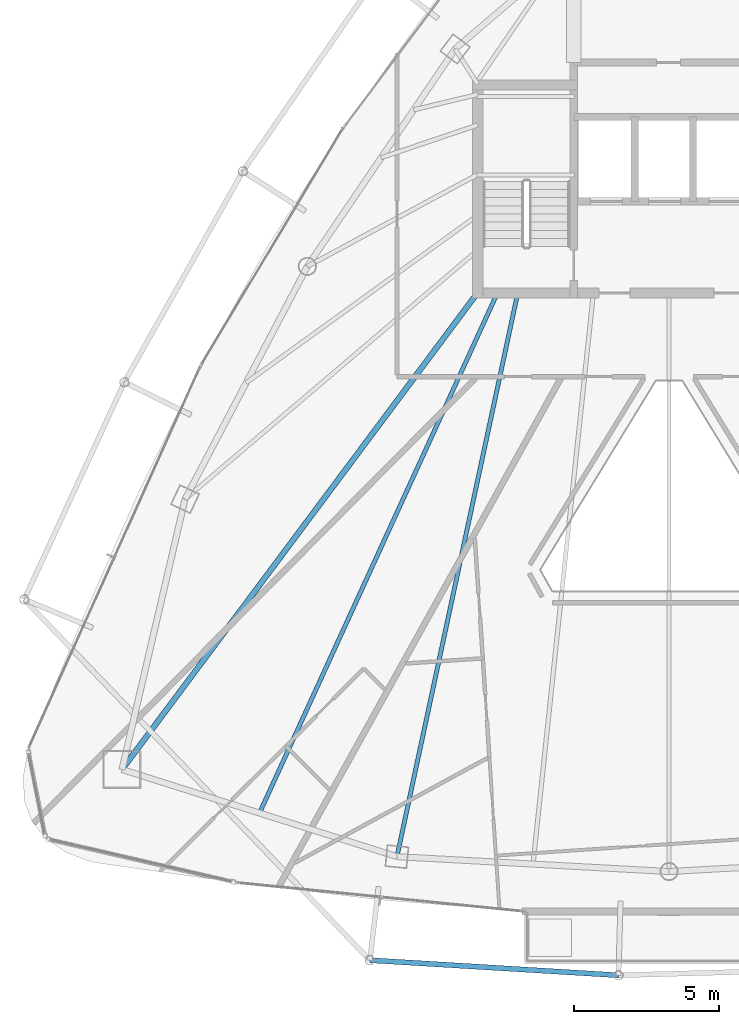
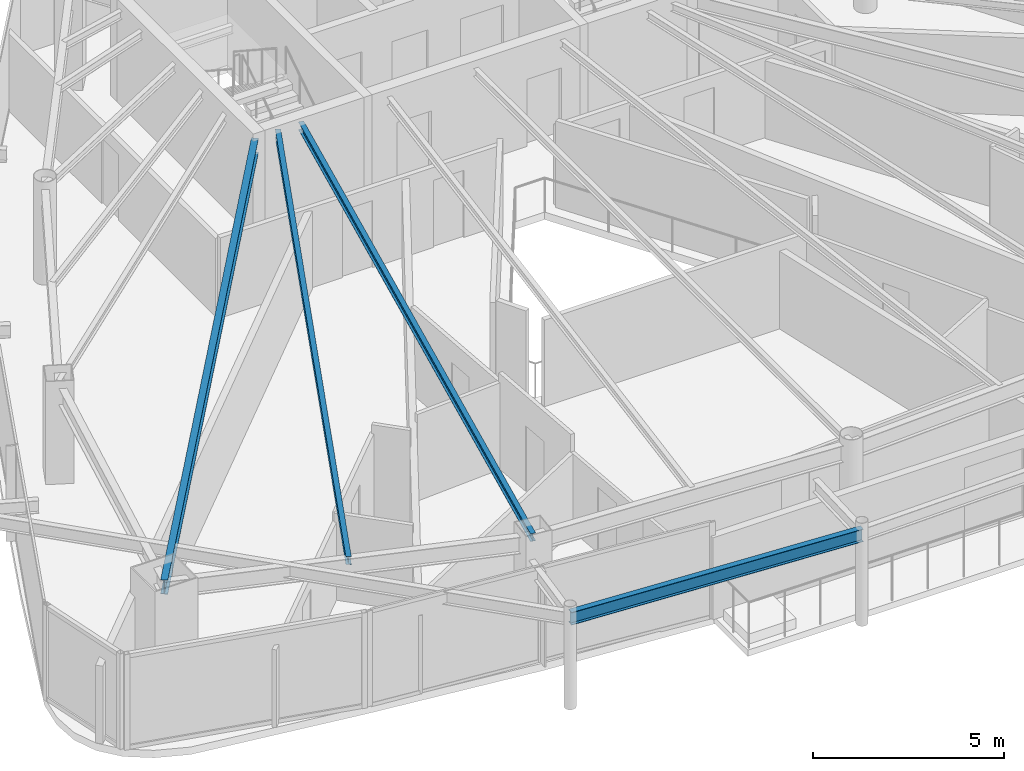
# One storey, part 6 of 29: 4 beams.
"""IFC4 building model written with IfcOpenShell, lengths in metres."""

from ifc_helpers import new_model, si_unit, direction, frame, origin, origin_2d, place, context, subcontext, project, spatial, i_section, extrude, material, material_profile, profile_set, type_object, element, save


model = new_model("IFC4")

# Units and contexts
model_context = context("Model", 3, precision=1e-05, world=origin(), true_north=direction((0.0, 1.0)))
body_context = subcontext(model_context, "Body", "Model", "MODEL_VIEW")
ifc_project = project(units=[si_unit("LENGTHUNIT", "METRE"), si_unit("AREAUNIT", "SQUARE_METRE"), si_unit("VOLUMEUNIT", "CUBIC_METRE"), si_unit("PLANEANGLEUNIT", "RADIAN"), si_unit("MASSUNIT", "GRAM", prefix="KILO")], contexts=[model_context])

# Site, building, storey
site_placement = place(None, origin())
site = spatial("IfcSite", under=ifc_project, at=site_placement, CompositionType="ELEMENT")
building_placement = place(site_placement, origin())
building = spatial("IfcBuilding", under=site, at=building_placement, Name="Orvanel Arch Residences", CompositionType="ELEMENT")
storey_placement = place(building_placement, frame((0.0, 0.0, 250.25)))
storey = spatial("IfcBuildingStorey", under=building, at=storey_placement, Name="L71", CompositionType="ELEMENT", Elevation=250.25)

# Beams
ifc_material = material(Name="Structural steel AS/NZS 3679.1 Grade 300 (300 MPa)", Category="steel")
ifc_material_profile_1 = material_profile(ifc_material, i_section(OverallWidth=0.19091796875, OverallDepth=0.4599609375, WebThickness=0.010009765625, FlangeThickness=0.01611328125, at=origin_2d()), Name="460UB82.1")
ifc_profile_set_1 = profile_set([ifc_material_profile_1], Name="Structural steel AS/NZS 3679.1 Grade 300 (300 MPa)")
beam_type_1 = type_object("IfcBeamType", Name="BG-460UB", PredefinedType="BEAM", material=ifc_profile_set_1)
beam_1_placement = place(storey_placement, frame((26.375, 26.675048828125, 2.830078125), z_axis=(-0.597893733742, -0.801575375839, 0.0), x_axis=(0.801575375839, -0.597893733742, 0.0)))
element("IfcBeam", 1, at=beam_1_placement, inside=storey, type_object=beam_type_1, Name="L71 South-West Radial Girder", PredefinedType="BEAM", context=body_context, shape_type="SweptSolid", body=[
    extrude(i_section(OverallWidth=0.19091796875, OverallDepth=0.4599609375, WebThickness=0.010009765625, FlangeThickness=0.01611328125, at=origin_2d()), origin(), (0.0, 0.0, 1.0), 20.36474609375),
])
ifc_material_profile_2 = material_profile(ifc_material, i_section(OverallWidth=0.14599609375, OverallDepth=0.251953125, WebThickness=0.006103515625, FlangeThickness=0.008544921875, at=origin_2d()), Name="250UB31.4")
ifc_profile_set_2 = profile_set([ifc_material_profile_2], Name="Structural steel AS/NZS 3679.1 Grade 300 (300 MPa)")
beam_type_2 = type_object("IfcBeamType", Name="BJ-250UB", PredefinedType="JOIST", material=ifc_profile_set_2)
beam_2_placement = place(storey_placement, frame((27.800048828125, 26.72509765625, 2.93408203125), z_axis=(-0.209547604985, -0.977798446125, 0.0), x_axis=(0.977798446125, -0.209547604985, 0.0)))
element("IfcBeam", 2, at=beam_2_placement, inside=storey, type_object=beam_type_2, Name="L71 SW Wing Floor Joist", PredefinedType="JOIST", context=body_context, shape_type="SweptSolid", body=[
    extrude(i_section(OverallWidth=0.14599609375, OverallDepth=0.251953125, WebThickness=0.006103515625, FlangeThickness=0.008544921875, at=origin_2d()), origin(), (0.0, 0.0, 1.0), 19.809814453125),
])
beam_3_placement = place(storey_placement, frame((27.10009765625, 26.72509765625, 2.93408203125), z_axis=(-0.416009574066, -0.909360233508, 0.0), x_axis=(0.909360233508, -0.416009574066, 0.0)))
element("IfcBeam", 3, at=beam_3_placement, inside=storey, type_object=beam_type_2, Name="L71 JADD1 Wing Floor Joist", PredefinedType="JOIST", context=body_context, shape_type="SweptSolid", body=[
    extrude(i_section(OverallWidth=0.14599609375, OverallDepth=0.251953125, WebThickness=0.006103515625, FlangeThickness=0.008544921875, at=origin_2d()), origin(), (0.0, 0.0, 1.0), 19.653564453125),
])
ifc_material_profile_3 = material_profile(ifc_material, i_section(OverallWidth=0.177978515625, OverallDepth=0.406005859375, WebThickness=0.0078125, FlangeThickness=0.0126953125, at=origin_2d()), Name="410UB59.7")
ifc_profile_set_3 = profile_set([ifc_material_profile_3], Name="Structural steel AS/NZS 3679.1 Grade 300 (300 MPa)")
beam_type_3 = type_object("IfcBeamType", Name="OB-410UB-EXT", PredefinedType="SPANDREL", material=ifc_profile_set_3)
beam_4_placement = place(storey_placement, frame((22.716064453125, 3.7958984375, 2.85693359375), z_axis=(0.998168861908, -0.060489033032, 0.0), x_axis=(0.060489033032, 0.998168861908, 0.0)))
element("IfcBeam", 4, at=beam_4_placement, inside=storey, type_object=beam_type_3, Name="L71 Outer Perimeter Floor Ring Beam 05", PredefinedType="SPANDREL", context=body_context, shape_type="SweptSolid", body=[
    extrude(i_section(OverallWidth=0.177978515625, OverallDepth=0.406005859375, WebThickness=0.0078125, FlangeThickness=0.0126953125, at=origin_2d()), origin(), (0.0, 0.0, 1.0), 8.560546875),
])

save(model, "model.ifc")
